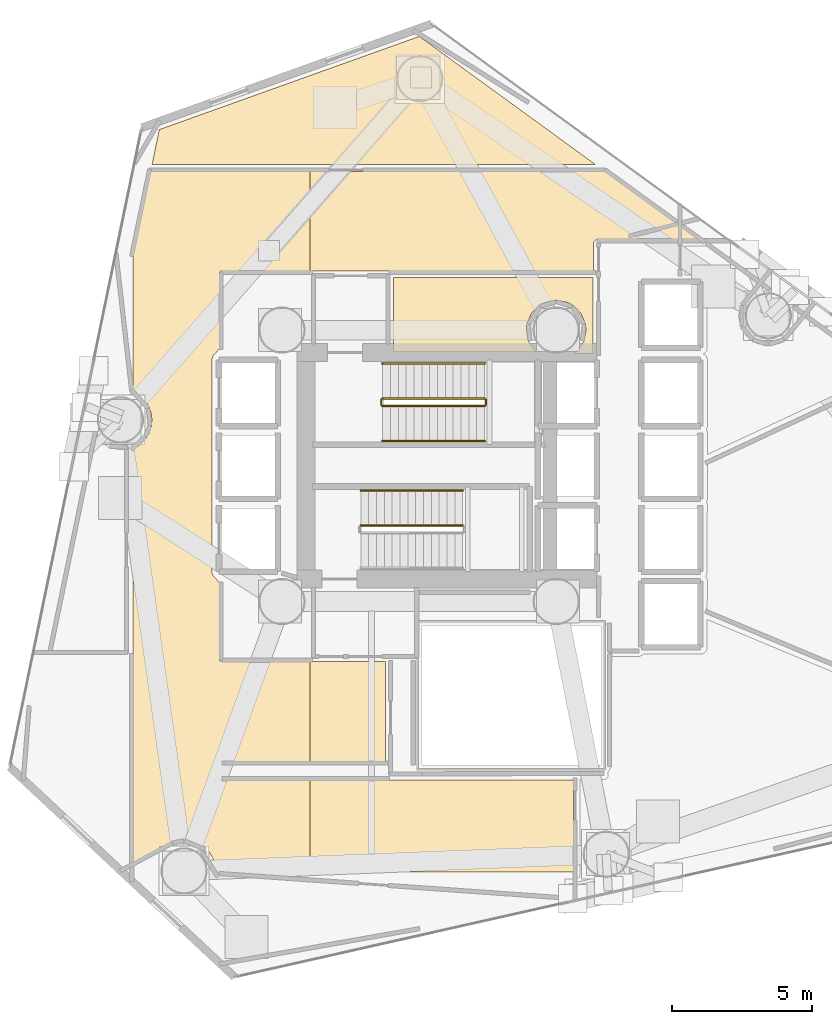
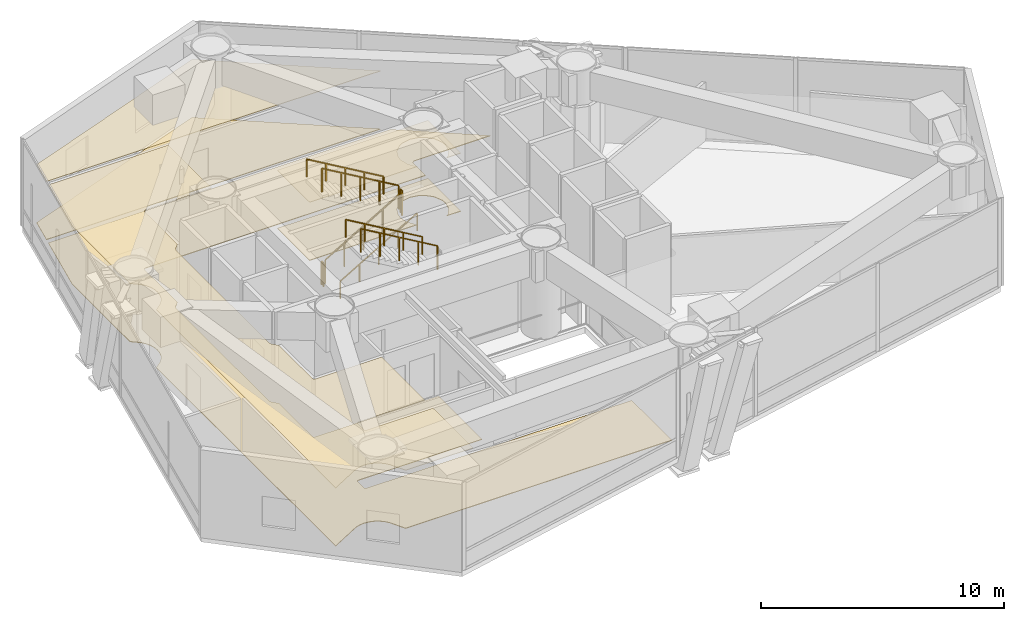
# One storey, part 21 of 22: 8 railings, 6 coverings.
"""IFC4 building model written with IfcOpenShell, lengths in metres."""

import ifcopenshell
import ifcopenshell.guid

model = None  # the IFC model being written
_history = None  # IfcOwnerHistory: only IFC2X3 demands one
_inside = {}  # id of a spatial element -> (the spatial element, [elements in it])
_under = {}  # id of a project, library or spatial element -> (it, [spatial elements below it])
_declared = {}  # id of a project -> (the project, [libraries it declares])
_typed = {}  # id of a type object -> (the type object, [elements of that type])
_made_of = {}  # id of a material, layer set ... -> (it, [elements and type objects made of it])


def new_model(schema):
    """Start an empty IFC model of exactly this schema.

    Asked for "IFC4X3", IfcOpenShell would pick the latest addendum, in which some entities
    have other attributes; the version numbers below select the first issue.
    IFC2X3 requires an IfcOwnerHistory on every rooted entity: one is made here for all.
    """
    global model, _history
    if schema == "IFC4X3":
        model = ifcopenshell.file(schema_version=(4, 3, 0, 0))
    else:
        model = ifcopenshell.file(schema=schema)
    _inside.clear()
    _under.clear()
    _declared.clear()
    _typed.clear()
    _made_of.clear()
    _history = None
    if model.schema == "IFC2X3":
        org = make("IfcOrganization", Name="unknown")
        user = make(
            "IfcPersonAndOrganization",
            ThePerson=make("IfcPerson", FamilyName="unknown"),
            TheOrganization=org,
        )
        app = make(
            "IfcApplication",
            ApplicationDeveloper=org,
            Version="unknown",
            ApplicationFullName="unknown",
            ApplicationIdentifier="unknown",
        )
        _history = make(
            "IfcOwnerHistory",
            OwningUser=user,
            OwningApplication=app,
            ChangeAction="ADDED",
            CreationDate=0,
        )
    return model


def make(cls, **values):
    """One entity of the class cls with the attributes given. An attribute that is None is left unset."""
    return model.create_entity(
        cls, **{name: value for name, value in values.items() if value is not None}
    )


def rooted(cls, **values):
    """An entity with a GlobalId (a new one), such as an element, a storey or a relation."""
    return make(cls, GlobalId=ifcopenshell.guid.new(), OwnerHistory=_history, **values)


def si_unit(unit_type, name, prefix=None):
    """IfcSIUnit, for example si_unit("LENGTHUNIT", "METRE", prefix="MILLI")."""
    return make("IfcSIUnit", UnitType=unit_type, Prefix=prefix, Name=name)


def assignment(units):
    """IfcUnitAssignment: the units of a project."""
    return None if units is None else make("IfcUnitAssignment", Units=units)


def point(xyz):
    """IfcCartesianPoint."""
    return None if xyz is None else make("IfcCartesianPoint", Coordinates=xyz)


def direction(xyz):
    """IfcDirection."""
    return None if xyz is None else make("IfcDirection", DirectionRatios=xyz)


def frame(location, z_axis=None, x_axis=None):
    """IfcAxis2Placement3D, a coordinate frame: its origin and axes. An axis left out is left unset."""
    return make(
        "IfcAxis2Placement3D",
        Location=point(location),
        Axis=direction(z_axis),
        RefDirection=direction(x_axis),
    )


def frame_2d(location, x_axis=None):
    """IfcAxis2Placement2D, a coordinate frame in the plane: its origin and x axis."""
    return make(
        "IfcAxis2Placement2D", Location=point(location), RefDirection=direction(x_axis)
    )


def origin():
    """The frame at (0, 0, 0) with its axes left unset."""
    return frame((0.0, 0.0, 0.0))


def origin_2d():
    """The frame at (0, 0) in the plane with its x axis left unset."""
    return frame_2d((0.0, 0.0))


def place(relative_to, where):
    """IfcLocalPlacement: puts the frame where relative to a parent placement (None: the world)."""
    return make(
        "IfcLocalPlacement", PlacementRelTo=relative_to, RelativePlacement=where
    )


def context(
    kind, dimensions, precision=None, world=None, true_north=None, identifier=None
):
    """IfcGeometricRepresentationContext, for example the 3D "Model" context."""
    return make(
        "IfcGeometricRepresentationContext",
        ContextIdentifier=identifier,
        ContextType=kind,
        CoordinateSpaceDimension=dimensions,
        Precision=precision,
        WorldCoordinateSystem=world,
        TrueNorth=true_north,
    )


def subcontext(parent, identifier, kind, view, scale=None):
    """IfcGeometricRepresentationSubContext, for example "Body" below "Model"."""
    return make(
        "IfcGeometricRepresentationSubContext",
        ContextIdentifier=identifier,
        ContextType=kind,
        ParentContext=parent,
        TargetScale=scale,
        TargetView=view,
    )


def project(units=None, contexts=None):
    """IfcProject with its units and contexts."""
    return rooted(
        "IfcProject",
        Name="project",
        RepresentationContexts=contexts,
        UnitsInContext=assignment(units),
    )


def spatial(cls, under=None, at=None, **own):
    """A site, building, storey or space (cls), placed at a placement, below another one or the project."""
    s = rooted(cls, ObjectPlacement=at, **own)
    if under is not None:
        _under.setdefault(under.id(), (under, []))[1].append(s)
    return s


def polyline(points):
    """IfcPolyline through the points."""
    return make("IfcPolyline", Points=[point(p) for p in points])


def profile(cls, at=None, kind="AREA", **sizes):
    """A parametric profile (cls). Its sizes go by their IFC names, for example OverallWidth=200.0."""
    return make(cls, ProfileType=kind, Position=at, **sizes)


def rectangle(**sizes):
    """IfcRectangleProfileDef."""
    return profile("IfcRectangleProfileDef", **sizes)


def outline(outer, holes=None, kind="AREA"):
    """IfcArbitraryClosedProfileDef: a profile drawn as a closed curve; with holes, ...WithVoids."""
    if holes is None:
        return make("IfcArbitraryClosedProfileDef", ProfileType=kind, OuterCurve=outer)
    return make(
        "IfcArbitraryProfileDefWithVoids",
        ProfileType=kind,
        OuterCurve=outer,
        InnerCurves=holes,
    )


def extrude(swept, where, along, depth):
    """IfcExtrudedAreaSolid: the profile swept, set in the frame where, extruded along a direction by depth."""
    return make(
        "IfcExtrudedAreaSolid",
        SweptArea=swept,
        Position=where,
        ExtrudedDirection=direction(along),
        Depth=depth,
    )


def shape(context_of_items, identifier, shape_type, items):
    """IfcShapeRepresentation: the items that make up one representation, for example the "Body"."""
    return make(
        "IfcShapeRepresentation",
        ContextOfItems=context_of_items,
        RepresentationIdentifier=identifier,
        RepresentationType=shape_type,
        Items=items,
    )


def material(Name=None, Category=None):
    """IfcMaterial."""
    return make("IfcMaterial", Name=Name, Category=Category)


def layer(
    of_material, thickness, ventilated=None, Name=None, Category=None, Priority=None
):
    """IfcMaterialLayer: one layer of a wall or slab, of a material (None: an air gap)."""
    return make(
        "IfcMaterialLayer",
        Material=of_material,
        LayerThickness=thickness,
        IsVentilated=ventilated,
        Name=Name,
        Category=Category,
        Priority=Priority,
    )


def layer_set(layers, Name=None):
    """IfcMaterialLayerSet."""
    return make("IfcMaterialLayerSet", MaterialLayers=layers, LayerSetName=Name)


def made_of(thing, what):
    """Note that an element or type object is made of a material, layer set ...; save() writes the relation."""
    if what is not None:
        _made_of.setdefault(what.id(), (what, []))[1].append(thing)
    return thing


def type_object(cls, material=None, **own):
    """A type object (cls), such as IfcWallType, which elements share."""
    return made_of(rooted(cls, **own), material)


def element(
    cls,
    number,
    at=None,
    inside=None,
    cuts=None,
    type_object=None,
    material=None,
    context=None,
    identifier="Body",
    shape_type=None,
    held_by="IfcProductDefinitionShape",
    body=None,
    shapes=None,
    **own,
):
    """One element of the class cls, such as IfcWall. Its Tag is "e" and its number.

    at: its placement. inside: the storey or other place that contains it. cuts: it is an
    opening in that element (IfcRelVoidsElement). A single representation is given by context,
    identifier, shape_type and body (its items); several are given by shapes. held_by: the class
    of the entity that holds the representations. save() writes the other relations.
    """
    e = rooted(cls, Tag="e%d" % number, ObjectPlacement=at, **own)
    if body is not None:
        shapes = [shape(context, identifier, shape_type, body)]
    if shapes is not None:
        e.Representation = make(held_by, Representations=shapes)
    if inside is not None:
        _inside.setdefault(inside.id(), (inside, []))[1].append(e)
    if cuts is not None:
        rooted(
            "IfcRelVoidsElement", RelatingBuildingElement=cuts, RelatedOpeningElement=e
        )
    if type_object is not None:
        _typed.setdefault(type_object.id(), (type_object, []))[1].append(e)
    return made_of(e, material)


def aggregate(whole, parts):
    """IfcRelAggregates: a whole, such as a stair, and the parts it consists of."""
    return rooted("IfcRelAggregates", RelatingObject=whole, RelatedObjects=parts)


def save(model, path):
    """Write the relations noted so far, then the file.

    IfcRelAggregates (storeys below a building ...), IfcRelContainedInSpatialStructure (elements
    in a storey), IfcRelDefinesByType, IfcRelAssociatesMaterial and IfcRelDeclares: one each for
    every whole, place, type object, material and project.
    """
    for whole, parts in _under.values():
        aggregate(whole, parts)
    for where, things in _inside.values():
        rooted(
            "IfcRelContainedInSpatialStructure",
            RelatedElements=things,
            RelatingStructure=where,
        )
    for kind, things in _typed.values():
        rooted("IfcRelDefinesByType", RelatedObjects=things, RelatingType=kind)
    for what, things in _made_of.values():
        rooted("IfcRelAssociatesMaterial", RelatedObjects=things, RelatingMaterial=what)
    for by, libraries in _declared.values():
        rooted("IfcRelDeclares", RelatingContext=by, RelatedDefinitions=libraries)
    model.write(path)


model = new_model("IFC4")

# Units and contexts
model_context = context("Model", 3, precision=1e-05, world=origin(), true_north=direction((0.0, 1.0)))
body_context = subcontext(model_context, "Body", "Model", "MODEL_VIEW")
ifc_project = project(units=[si_unit("LENGTHUNIT", "METRE"), si_unit("AREAUNIT", "SQUARE_METRE"), si_unit("VOLUMEUNIT", "CUBIC_METRE"), si_unit("PLANEANGLEUNIT", "RADIAN"), si_unit("MASSUNIT", "GRAM", prefix="KILO")], contexts=[model_context])

# Site, building, storey
site_placement = place(None, origin())
site = spatial("IfcSite", under=ifc_project, at=site_placement, CompositionType="ELEMENT")
building_placement = place(site_placement, origin())
building = spatial("IfcBuilding", under=site, at=building_placement, Name="Qianvela Tower", CompositionType="ELEMENT")
storey_placement = place(building_placement, frame((0.0, 0.0, 93.199951171875)))
storey = spatial("IfcBuildingStorey", under=building, at=storey_placement, Name="L23", CompositionType="ELEMENT", Elevation=93.199951171875)

# Coverings
ifc_material_1 = material(Name="Perforated Mineral Acoustic Ceiling Tile")
ifc_layer_1 = layer(ifc_material_1, 0.02490234375)
ifc_layer_set_1 = layer_set([ifc_layer_1], Name="Perforated Mineral Acoustic Ceiling Tile")
covering_type_1 = type_object("IfcCoveringType", Name="COV-CEIL-ACOUSTIC-25", PredefinedType="CEILING", material=ifc_layer_set_1)
covering_1_placement = place(storey_placement, frame((0.0, 0.0, 2.9150390625)))
element("IfcCovering", 1, at=covering_1_placement, inside=storey, type_object=covering_type_1, Name="L23 Acoustic Ceiling Bay 1 L23 Mechanical Plant Corridor", PredefinedType="CEILING", context=body_context, shape_type="SweptSolid", body=[
    extrude(outline(polyline([(23.764404296875, 29.715087890625), (23.768310546875, 29.7216796875), (23.864990234375, 29.90234375), (23.868408203125, 29.909423828125), (23.87109375, 29.9169921875), (23.930419921875, 30.11279296875), (23.932373046875, 30.12060546875), (23.93359375, 30.12841796875), (23.95361328125, 30.332275390625), (23.9541015625, 30.340087890625), (23.95361328125, 30.347900390625), (23.93359375, 30.5517578125), (23.932373046875, 30.5595703125), (23.930419921875, 30.567138671875), (23.87109375, 30.76318359375), (23.868408203125, 30.7705078125), (23.864990234375, 30.777587890625), (23.768310546875, 30.958251953125), (23.764404296875, 30.965087890625), (23.759765625, 30.97119140625), (23.6298828125, 31.129638671875), (23.62451171875, 31.135498046875), (23.61865234375, 31.140869140625), (23.280029296875, 31.418701171875), (23.280029296875, 36.180419921875), (23.908203125, 39.219970703125), (29.596923828125, 39.219970703125), (29.596923828125, 35.659912109375), (26.449951171875, 35.659912109375), (26.442138671875, 35.65966796875), (26.434326171875, 35.658447265625), (26.4267578125, 35.656494140625), (26.41943359375, 35.65380859375), (26.412353515625, 35.650634765625), (26.405517578125, 35.646484375), (26.399169921875, 35.641845703125), (26.393310546875, 35.63671875), (26.38818359375, 35.630859375), (26.383544921875, 35.62451171875), (26.37939453125, 35.61767578125), (26.376220703125, 35.610595703125), (26.373291015625, 35.603271484375), (26.37158203125, 35.595703125), (26.370361328125, 35.587890625), (26.3701171875, 35.580078125), (26.3701171875, 32.882568359375), (26.152587890625, 32.642578125), (26.1474609375, 32.636474609375), (26.143310546875, 32.6298828125), (26.139404296875, 32.623046875), (26.136474609375, 32.61572265625), (26.104736328125, 32.527099609375), (26.1025390625, 32.5205078125), (26.101318359375, 32.513671875), (26.100341796875, 32.5068359375), (26.10009765625, 32.5), (26.10009765625, 24.89990234375), (26.100341796875, 24.89306640625), (26.101318359375, 24.88623046875), (26.1025390625, 24.879638671875), (26.104736328125, 24.873046875), (26.136474609375, 24.7841796875), (26.139404296875, 24.777099609375), (26.143310546875, 24.77001953125), (26.1474609375, 24.763427734375), (26.152587890625, 24.757568359375), (26.3701171875, 24.517578125), (26.3701171875, 21.780029296875), (26.370361328125, 21.772216796875), (26.37158203125, 21.764404296875), (26.373291015625, 21.7568359375), (26.376220703125, 21.74951171875), (26.37939453125, 21.7421875), (26.383544921875, 21.735595703125), (26.38818359375, 21.729248046875), (26.393310546875, 21.723388671875), (26.399169921875, 21.71826171875), (26.405517578125, 21.71337890625), (26.412353515625, 21.70947265625), (26.41943359375, 21.7060546875), (26.4267578125, 21.703369140625), (26.434326171875, 21.701416015625), (26.442138671875, 21.700439453125), (26.449951171875, 21.699951171875), (29.596923828125, 21.699951171875), (29.596923828125, 18.1298828125), (26.449951171875, 18.1298828125), (26.442138671875, 18.129638671875), (26.434326171875, 18.12841796875), (26.4267578125, 18.126708984375), (26.41943359375, 18.123779296875), (26.412353515625, 18.12060546875), (26.405517578125, 18.116455078125), (26.399169921875, 18.11181640625), (26.393310546875, 18.106689453125), (26.38818359375, 18.100830078125), (26.383544921875, 18.094482421875), (26.37939453125, 18.087646484375), (26.376220703125, 18.08056640625), (26.373291015625, 18.0732421875), (26.37158203125, 18.065673828125), (26.370361328125, 18.057861328125), (26.3701171875, 18.050048828125), (26.3701171875, 17.550048828125), (26.370361328125, 17.542236328125), (26.37158203125, 17.534423828125), (26.373291015625, 17.52685546875), (26.376220703125, 17.519287109375), (26.37939453125, 17.51220703125), (26.383544921875, 17.505615234375), (26.38818359375, 17.499267578125), (26.393310546875, 17.493408203125), (26.399169921875, 17.48828125), (26.405517578125, 17.4833984375), (26.412353515625, 17.4794921875), (26.41943359375, 17.47607421875), (26.4267578125, 17.473388671875), (26.434326171875, 17.471435546875), (26.442138671875, 17.470458984375), (26.449951171875, 17.469970703125), (29.596923828125, 17.469970703125), (29.596923828125, 14.179931640625), (26.39404296875, 14.179931640625), (26.039306640625, 14.84326171875), (26.035400390625, 14.85009765625), (26.03076171875, 14.856201171875), (25.90087890625, 15.0146484375), (25.8955078125, 15.0205078125), (25.8896484375, 15.02587890625), (25.731201171875, 15.15576171875), (25.72509765625, 15.160400390625), (25.71826171875, 15.164306640625), (25.53759765625, 15.260986328125), (25.530517578125, 15.264404296875), (25.523193359375, 15.26708984375), (25.3271484375, 15.326416015625), (25.319580078125, 15.328369140625), (25.311767578125, 15.32958984375), (25.10791015625, 15.349609375), (25.10009765625, 15.35009765625), (25.09228515625, 15.349609375), (24.88818359375, 15.32958984375), (24.880615234375, 15.328369140625), (24.872802734375, 15.326416015625), (24.677001953125, 15.26708984375), (24.66943359375, 15.264404296875), (24.662353515625, 15.260986328125), (23.280029296875, 14.522216796875), (23.280029296875, 29.26123046875), (23.61865234375, 29.539306640625), (23.62451171875, 29.54443359375), (23.6298828125, 29.55029296875), (23.759765625, 29.708740234375), (23.764404296875, 29.715087890625)])), origin(), (0.0, 0.0, 1.0), 0.02490234375),
])
covering_2_placement = place(storey_placement, frame((0.0, 0.0, 2.9150390625)))
element("IfcCovering", 2, at=covering_2_placement, inside=storey, type_object=covering_type_1, Name="L23 Acoustic Ceiling L23 Fire Refuge Area 3", PredefinedType="CEILING", context=body_context, shape_type="SweptSolid", body=[
    extrude(outline(polyline([(39.811279296875, 39.4599609375), (23.9580078125, 39.4599609375), (24.21728515625, 40.71435546875), (33.510986328125, 44.04296875), (39.811279296875, 39.4599609375)])), origin(), (0.0, 0.0, 1.0), 0.02490234375),
])
covering_3_placement = place(storey_placement, frame((0.0, 0.0, 2.9150390625)))
element("IfcCovering", 3, at=covering_3_placement, inside=storey, type_object=covering_type_1, Name="L23 Acoustic Ceiling L23 Electrical Transformer and Switch Room", PredefinedType="CEILING", context=body_context, shape_type="SweptSolid", body=[
    extrude(outline(polyline([(32.580078125, 32.77001953125), (32.580078125, 35.419921875), (39.719970703125, 35.419921875), (39.719970703125, 32.719970703125), (39.040771484375, 32.719970703125), (39.140869140625, 32.787109375), (39.147216796875, 32.791748046875), (39.153076171875, 32.796875), (39.158203125, 32.802734375), (39.1630859375, 32.80908203125), (39.37646484375, 33.128662109375), (39.380615234375, 33.13525390625), (39.3837890625, 33.142333984375), (39.38671875, 33.14990234375), (39.388427734375, 33.157470703125), (39.46337890625, 33.534423828125), (39.464599609375, 33.542236328125), (39.465087890625, 33.550048828125), (39.464599609375, 33.557861328125), (39.44580078125, 33.75), (39.444580078125, 33.7578125), (39.442626953125, 33.765380859375), (39.43994140625, 33.772705078125), (39.29296875, 34.1279296875), (39.28955078125, 34.135009765625), (39.285400390625, 34.1416015625), (39.28076171875, 34.14794921875), (39.275634765625, 34.15380859375), (39.00390625, 34.425537109375), (38.998046875, 34.430908203125), (38.99169921875, 34.435546875), (38.98486328125, 34.439697265625), (38.814697265625, 34.530517578125), (38.8076171875, 34.533935546875), (38.80029296875, 34.53662109375), (38.79248046875, 34.53857421875), (38.41552734375, 34.613525390625), (38.40771484375, 34.614501953125), (38.39990234375, 34.614990234375), (38.39208984375, 34.614501953125), (38.384521484375, 34.613525390625), (38.00732421875, 34.53857421875), (37.999755859375, 34.53662109375), (37.992431640625, 34.533935546875), (37.9853515625, 34.530517578125), (37.815185546875, 34.439697265625), (37.808349609375, 34.435546875), (37.802001953125, 34.430908203125), (37.796142578125, 34.425537109375), (37.5244140625, 34.15380859375), (37.519287109375, 34.14794921875), (37.514404296875, 34.1416015625), (37.510498046875, 34.135009765625), (37.507080078125, 34.1279296875), (37.360107421875, 33.772705078125), (37.357421875, 33.765380859375), (37.35546875, 33.7578125), (37.354248046875, 33.75), (37.33544921875, 33.557861328125), (37.3349609375, 33.550048828125), (37.33544921875, 33.542236328125), (37.33642578125, 33.534423828125), (37.41162109375, 33.157470703125), (37.413330078125, 33.14990234375), (37.416015625, 33.142333984375), (37.41943359375, 33.13525390625), (37.423583984375, 33.128662109375), (37.636962890625, 32.80908203125), (37.64111328125, 32.80322265625), (37.64599609375, 32.798095703125), (37.65087890625, 32.793212890625), (37.656494140625, 32.788818359375), (37.682373046875, 32.77001953125), (32.580078125, 32.77001953125)])), origin(), (0.0, 0.0, 1.0), 0.02490234375),
])
ifc_material_2 = material(Name="Honed Stone Terrazzo Flooring", Category="masonry")
ifc_layer_2 = layer(ifc_material_2, 0.030029296875)
ifc_layer_set_2 = layer_set([ifc_layer_2], Name="Honed Stone Terrazzo Flooring")
covering_type_2 = type_object("IfcCoveringType", Name="COV-FLOOR-TERRAZZO-30", PredefinedType="FLOORING", material=ifc_layer_set_2)
covering_4_placement = place(storey_placement, origin())
element("IfcCovering", 4, at=covering_4_placement, inside=storey, type_object=covering_type_2, Name="L23 Finish Flooring L23 Mechanical Plant Corridor", PredefinedType="FLOORING", context=body_context, shape_type="SweptSolid", body=[
    extrude(outline(polyline([(23.759765625, 29.708740234375), (23.764404296875, 29.715087890625), (23.768310546875, 29.7216796875), (23.864990234375, 29.90234375), (23.868408203125, 29.909423828125), (23.87109375, 29.9169921875), (23.930419921875, 30.11279296875), (23.932373046875, 30.12060546875), (23.93359375, 30.12841796875), (23.95361328125, 30.332275390625), (23.9541015625, 30.340087890625), (23.95361328125, 30.347900390625), (23.93359375, 30.5517578125), (23.932373046875, 30.5595703125), (23.930419921875, 30.567138671875), (23.87109375, 30.76318359375), (23.868408203125, 30.7705078125), (23.864990234375, 30.777587890625), (23.768310546875, 30.958251953125), (23.764404296875, 30.965087890625), (23.759765625, 30.97119140625), (23.6298828125, 31.129638671875), (23.62451171875, 31.135498046875), (23.61865234375, 31.140869140625), (23.280029296875, 31.418701171875), (23.280029296875, 36.180419921875), (23.908203125, 39.219970703125), (40.141357421875, 39.219970703125), (43.479248046875, 36.791748046875), (39.86181640625, 36.789306640625), (39.853759765625, 36.788818359375), (39.845458984375, 36.78759765625), (39.83740234375, 36.785400390625), (39.829833984375, 36.782470703125), (39.822509765625, 36.77880859375), (39.8154296875, 36.7744140625), (39.808837890625, 36.769287109375), (39.802978515625, 36.763427734375), (39.797607421875, 36.757080078125), (39.753662109375, 36.69775390625), (39.7490234375, 36.690673828125), (39.7451171875, 36.68310546875), (39.741943359375, 36.675048828125), (39.73974609375, 36.6669921875), (39.738525390625, 36.658447265625), (39.738037109375, 36.64990234375), (39.738037109375, 35.659912109375), (26.449951171875, 35.659912109375), (26.442138671875, 35.65966796875), (26.434326171875, 35.658447265625), (26.4267578125, 35.656494140625), (26.41943359375, 35.65380859375), (26.412353515625, 35.650634765625), (26.405517578125, 35.646484375), (26.399169921875, 35.641845703125), (26.393310546875, 35.63671875), (26.38818359375, 35.630859375), (26.383544921875, 35.62451171875), (26.37939453125, 35.61767578125), (26.376220703125, 35.610595703125), (26.373291015625, 35.603271484375), (26.37158203125, 35.595703125), (26.370361328125, 35.587890625), (26.3701171875, 35.580078125), (26.3701171875, 32.882568359375), (26.152587890625, 32.642578125), (26.1474609375, 32.636474609375), (26.143310546875, 32.6298828125), (26.139404296875, 32.623046875), (26.136474609375, 32.61572265625), (26.104736328125, 32.527099609375), (26.1025390625, 32.5205078125), (26.101318359375, 32.513671875), (26.100341796875, 32.5068359375), (26.10009765625, 32.5), (26.10009765625, 24.89990234375), (26.100341796875, 24.89306640625), (26.101318359375, 24.88623046875), (26.1025390625, 24.879638671875), (26.104736328125, 24.873046875), (26.136474609375, 24.7841796875), (26.139404296875, 24.777099609375), (26.143310546875, 24.77001953125), (26.1474609375, 24.763427734375), (26.152587890625, 24.757568359375), (26.3701171875, 24.517578125), (26.3701171875, 21.780029296875), (26.370361328125, 21.772216796875), (26.37158203125, 21.764404296875), (26.373291015625, 21.7568359375), (26.376220703125, 21.74951171875), (26.37939453125, 21.7421875), (26.383544921875, 21.735595703125), (26.38818359375, 21.729248046875), (26.393310546875, 21.723388671875), (26.399169921875, 21.71826171875), (26.405517578125, 21.71337890625), (26.412353515625, 21.70947265625), (26.41943359375, 21.7060546875), (26.4267578125, 21.703369140625), (26.434326171875, 21.701416015625), (26.442138671875, 21.700439453125), (26.449951171875, 21.699951171875), (32.30810546875, 21.699951171875), (32.30810546875, 18.1298828125), (26.449951171875, 18.1298828125), (26.442138671875, 18.129638671875), (26.434326171875, 18.12841796875), (26.4267578125, 18.126708984375), (26.41943359375, 18.123779296875), (26.412353515625, 18.12060546875), (26.405517578125, 18.116455078125), (26.399169921875, 18.11181640625), (26.393310546875, 18.106689453125), (26.38818359375, 18.100830078125), (26.383544921875, 18.094482421875), (26.37939453125, 18.087646484375), (26.376220703125, 18.08056640625), (26.373291015625, 18.0732421875), (26.37158203125, 18.065673828125), (26.370361328125, 18.057861328125), (26.3701171875, 18.050048828125), (26.3701171875, 17.550048828125), (26.370361328125, 17.542236328125), (26.37158203125, 17.534423828125), (26.373291015625, 17.52685546875), (26.376220703125, 17.519287109375), (26.37939453125, 17.51220703125), (26.383544921875, 17.505615234375), (26.38818359375, 17.499267578125), (26.393310546875, 17.493408203125), (26.399169921875, 17.48828125), (26.405517578125, 17.4833984375), (26.412353515625, 17.4794921875), (26.41943359375, 17.47607421875), (26.4267578125, 17.473388671875), (26.434326171875, 17.471435546875), (26.442138671875, 17.470458984375), (26.449951171875, 17.469970703125), (39.02001953125, 17.469970703125), (39.02001953125, 14.179931640625), (26.39404296875, 14.179931640625), (26.039306640625, 14.84326171875), (26.035400390625, 14.85009765625), (26.03076171875, 14.856201171875), (25.90087890625, 15.0146484375), (25.8955078125, 15.0205078125), (25.8896484375, 15.02587890625), (25.731201171875, 15.15576171875), (25.72509765625, 15.160400390625), (25.71826171875, 15.164306640625), (25.53759765625, 15.260986328125), (25.530517578125, 15.264404296875), (25.523193359375, 15.26708984375), (25.3271484375, 15.326416015625), (25.319580078125, 15.328369140625), (25.311767578125, 15.32958984375), (25.10791015625, 15.349609375), (25.10009765625, 15.35009765625), (25.09228515625, 15.349609375), (24.88818359375, 15.32958984375), (24.880615234375, 15.328369140625), (24.872802734375, 15.326416015625), (24.677001953125, 15.26708984375), (24.66943359375, 15.264404296875), (24.662353515625, 15.260986328125), (23.280029296875, 14.522216796875), (23.280029296875, 29.26123046875), (23.61865234375, 29.539306640625), (23.62451171875, 29.54443359375), (23.6298828125, 29.55029296875), (23.759765625, 29.708740234375)])), origin(), (0.0, 0.0, 1.0), 0.030029296875),
])
covering_5_placement = place(storey_placement, origin())
element("IfcCovering", 5, at=covering_5_placement, inside=storey, type_object=covering_type_2, Name="L23 Finish Flooring L23 Fire Refuge Area 3", PredefinedType="FLOORING", context=body_context, shape_type="SweptSolid", body=[
    extrude(outline(polyline([(39.811279296875, 39.4599609375), (23.9580078125, 39.4599609375), (24.21728515625, 40.71435546875), (33.510986328125, 44.04296875), (39.811279296875, 39.4599609375)])), origin(), (0.0, 0.0, 1.0), 0.030029296875),
])
covering_6_placement = place(storey_placement, origin())
element("IfcCovering", 6, at=covering_6_placement, inside=storey, type_object=covering_type_2, Name="L23 Finish Flooring L23 Electrical Transformer and Switch Room", PredefinedType="FLOORING", context=body_context, shape_type="SweptSolid", body=[
    extrude(outline(polyline([(32.580078125, 32.77001953125), (32.580078125, 35.419921875), (39.719970703125, 35.419921875), (39.719970703125, 32.719970703125), (39.040771484375, 32.719970703125), (39.140869140625, 32.787109375), (39.147216796875, 32.791748046875), (39.153076171875, 32.796875), (39.158203125, 32.802734375), (39.1630859375, 32.80908203125), (39.37646484375, 33.128662109375), (39.380615234375, 33.13525390625), (39.3837890625, 33.142333984375), (39.38671875, 33.14990234375), (39.388427734375, 33.157470703125), (39.46337890625, 33.534423828125), (39.464599609375, 33.542236328125), (39.465087890625, 33.550048828125), (39.464599609375, 33.557861328125), (39.44580078125, 33.75), (39.444580078125, 33.7578125), (39.442626953125, 33.765380859375), (39.43994140625, 33.772705078125), (39.29296875, 34.1279296875), (39.28955078125, 34.135009765625), (39.285400390625, 34.1416015625), (39.28076171875, 34.14794921875), (39.275634765625, 34.15380859375), (39.00390625, 34.425537109375), (38.998046875, 34.430908203125), (38.99169921875, 34.435546875), (38.98486328125, 34.439697265625), (38.814697265625, 34.530517578125), (38.8076171875, 34.533935546875), (38.80029296875, 34.53662109375), (38.79248046875, 34.53857421875), (38.41552734375, 34.613525390625), (38.40771484375, 34.614501953125), (38.39990234375, 34.614990234375), (38.39208984375, 34.614501953125), (38.384521484375, 34.613525390625), (38.00732421875, 34.53857421875), (37.999755859375, 34.53662109375), (37.992431640625, 34.533935546875), (37.9853515625, 34.530517578125), (37.815185546875, 34.439697265625), (37.808349609375, 34.435546875), (37.802001953125, 34.430908203125), (37.796142578125, 34.425537109375), (37.5244140625, 34.15380859375), (37.519287109375, 34.14794921875), (37.514404296875, 34.1416015625), (37.510498046875, 34.135009765625), (37.507080078125, 34.1279296875), (37.360107421875, 33.772705078125), (37.357421875, 33.765380859375), (37.35546875, 33.7578125), (37.354248046875, 33.75), (37.33544921875, 33.557861328125), (37.3349609375, 33.550048828125), (37.33544921875, 33.542236328125), (37.33642578125, 33.534423828125), (37.41162109375, 33.157470703125), (37.413330078125, 33.14990234375), (37.416015625, 33.142333984375), (37.41943359375, 33.13525390625), (37.423583984375, 33.128662109375), (37.636962890625, 32.80908203125), (37.64111328125, 32.80322265625), (37.64599609375, 32.798095703125), (37.65087890625, 32.793212890625), (37.656494140625, 32.788818359375), (37.682373046875, 32.77001953125), (32.580078125, 32.77001953125)])), origin(), (0.0, 0.0, 1.0), 0.030029296875),
])

# Railings
ifc_material_3 = material(Name="Painted Tubular Steel Q355B", Category="steel")
railing_type_1 = type_object("IfcRailingType", Name="RL-STAIR-GUARD-1200", PredefinedType="GUARDRAIL", material=ifc_material_3)
railing_1_placement = place(storey_placement, frame((32.199951171875, 30.840087890625, 0.164306640625)))
element("IfcRailing", 7, at=railing_1_placement, inside=storey, type_object=railing_type_1, Name="L23 ST-1 stair guard 1", PredefinedType="GUARDRAIL", context=body_context, shape_type="SweptSolid", body=[
    extrude(rectangle(XDim=0.050048828125, YDim=0.0400390625, at=origin_2d()), frame((0.0, 0.0, 1.179931640625), z_axis=(0.862504707072, 0.0, 0.506049039401), x_axis=(0.0, 1.0, 0.0)), (0.0, 0.0, 1.0), 4.220458984375),
    extrude(rectangle(XDim=0.050048828125, YDim=0.050048828125, at=origin_2d()), origin(), (0.0, 0.0, 1.0), 1.159912109375),
    extrude(rectangle(XDim=0.050048828125, YDim=0.050048828125, at=origin_2d()), frame((0.91015625, 0.0, 0.533935546875)), (0.0, 0.0, 1.0), 1.159912109375),
    extrude(rectangle(XDim=0.050048828125, YDim=0.050048828125, at=origin_2d()), frame((1.820068359375, 0.0, 1.06787109375)), (0.0, 0.0, 1.0), 1.159912109375),
    extrude(rectangle(XDim=0.050048828125, YDim=0.050048828125, at=origin_2d()), frame((2.72998046875, 0.0, 1.601806640625)), (0.0, 0.0, 1.0), 1.159912109375),
    extrude(rectangle(XDim=0.050048828125, YDim=0.050048828125, at=origin_2d()), frame((3.64013671875, 0.0, 2.1357421875)), (0.0, 0.0, 1.0), 1.159912109375),
])
railing_2_placement = place(storey_placement, frame((35.889892578125, 30.889892578125, 2.300048828125)))
element("IfcRailing", 8, at=railing_2_placement, inside=storey, type_object=railing_type_1, Name="L23 ST-1 stair guard 2", PredefinedType="GUARDRAIL", context=body_context, shape_type="SweptSolid", body=[
    extrude(rectangle(XDim=0.050048828125, YDim=0.0400390625, at=origin_2d()), frame((0.0, 0.0, 1.179931640625), z_axis=(0.0, 1.0, 0.0), x_axis=(-1.0, 0.0, 0.0)), (0.0, 0.0, 1.0), 0.16015625),
    extrude(rectangle(XDim=0.050048828125, YDim=0.050048828125, at=origin_2d()), origin(), (0.0, 0.0, 1.0), 1.159912109375),
    extrude(rectangle(XDim=0.050048828125, YDim=0.050048828125, at=origin_2d()), frame((0.0, 0.16015625, 0.0)), (0.0, 0.0, 1.0), 1.159912109375),
])
railing_3_placement = place(storey_placement, frame((35.840087890625, 31.10009765625, 2.46435546875)))
element("IfcRailing", 9, at=railing_3_placement, inside=storey, type_object=railing_type_1, Name="L23 ST-1 stair guard 3", PredefinedType="GUARDRAIL", context=body_context, shape_type="SweptSolid", body=[
    extrude(rectangle(XDim=0.050048828125, YDim=0.0400390625, at=origin_2d()), frame((0.0, 0.0, 1.179931640625), z_axis=(-0.862504707072, 0.0, 0.506049039401), x_axis=(0.0, -1.0, 0.0)), (0.0, 0.0, 1.0), 4.220458984375),
    extrude(rectangle(XDim=0.050048828125, YDim=0.050048828125, at=origin_2d()), origin(), (0.0, 0.0, 1.0), 1.159912109375),
    extrude(rectangle(XDim=0.050048828125, YDim=0.050048828125, at=origin_2d()), frame((-0.91015625, 0.0, 0.533935546875)), (0.0, 0.0, 1.0), 1.159912109375),
    extrude(rectangle(XDim=0.050048828125, YDim=0.050048828125, at=origin_2d()), frame((-1.820068359375, 0.0, 1.06787109375)), (0.0, 0.0, 1.0), 1.159912109375),
    extrude(rectangle(XDim=0.050048828125, YDim=0.050048828125, at=origin_2d()), frame((-2.72998046875, 0.0, 1.601806640625)), (0.0, 0.0, 1.0), 1.159912109375),
    extrude(rectangle(XDim=0.050048828125, YDim=0.050048828125, at=origin_2d()), frame((-3.64013671875, 0.0, 2.1357421875)), (0.0, 0.0, 1.0), 1.159912109375),
])
railing_4_placement = place(storey_placement, frame((32.14990234375, 30.889892578125, 0.0)))
element("IfcRailing", 10, at=railing_4_placement, inside=storey, type_object=railing_type_1, Name="L23 ST-1 stair guard 4", PredefinedType="GUARDRAIL", context=body_context, shape_type="SweptSolid", body=[
    extrude(rectangle(XDim=0.050048828125, YDim=0.0400390625, at=origin_2d()), frame((0.0, 0.0, 1.179931640625), z_axis=(0.0, 1.0, 0.0), x_axis=(-1.0, 0.0, 0.0)), (0.0, 0.0, 1.0), 0.16015625),
    extrude(rectangle(XDim=0.050048828125, YDim=0.050048828125, at=origin_2d()), origin(), (0.0, 0.0, 1.0), 1.159912109375),
    extrude(rectangle(XDim=0.050048828125, YDim=0.050048828125, at=origin_2d()), frame((0.0, 0.16015625, 0.0)), (0.0, 0.0, 1.0), 1.159912109375),
])
railing_5_placement = place(storey_placement, frame((35.06005859375, 26.56005859375, 2.46435546875)))
element("IfcRailing", 11, at=railing_5_placement, inside=storey, type_object=railing_type_1, Name="L23 ST-2 stair guard 3", PredefinedType="GUARDRAIL", context=body_context, shape_type="SweptSolid", body=[
    extrude(rectangle(XDim=0.050048828125, YDim=0.0400390625, at=origin_2d()), frame((0.0, 0.0, 1.179931640625), z_axis=(-0.862504707072, 0.0, 0.506049039401), x_axis=(0.0, -1.0, 0.0)), (0.0, 0.0, 1.0), 4.220458984375),
    extrude(rectangle(XDim=0.050048828125, YDim=0.050048828125, at=origin_2d()), origin(), (0.0, 0.0, 1.0), 1.159912109375),
    extrude(rectangle(XDim=0.050048828125, YDim=0.050048828125, at=origin_2d()), frame((-0.91015625, 0.0, 0.533935546875)), (0.0, 0.0, 1.0), 1.159912109375),
    extrude(rectangle(XDim=0.050048828125, YDim=0.050048828125, at=origin_2d()), frame((-1.820068359375, 0.0, 1.06787109375)), (0.0, 0.0, 1.0), 1.159912109375),
    extrude(rectangle(XDim=0.050048828125, YDim=0.050048828125, at=origin_2d()), frame((-2.72998046875, 0.0, 1.601806640625)), (0.0, 0.0, 1.0), 1.159912109375),
    extrude(rectangle(XDim=0.050048828125, YDim=0.050048828125, at=origin_2d()), frame((-3.64013671875, 0.0, 2.1357421875)), (0.0, 0.0, 1.0), 1.159912109375),
])
ifc_material_4 = material(Name="Brushed Stainless Steel 304", Category="steel")
railing_type_2 = type_object("IfcRailingType", Name="RL-STAIR-HANDRAIL-900", PredefinedType="HANDRAIL", material=ifc_material_4)
railing_6_placement = place(storey_placement, frame((32.199951171875, 29.590087890625, 0.164306640625)))
element("IfcRailing", 12, at=railing_6_placement, inside=storey, type_object=railing_type_2, Name="L23 ST-1 stair handrail 1", PredefinedType="HANDRAIL", context=body_context, shape_type="SweptSolid", body=[
    extrude(rectangle(XDim=0.050048828125, YDim=0.0400390625, at=origin_2d()), frame((0.0, 0.0, 0.8798828125), z_axis=(0.862504707072, 0.0, 0.506049039401), x_axis=(0.0, 1.0, 0.0)), (0.0, 0.0, 1.0), 4.220458984375),
    extrude(rectangle(XDim=0.050048828125, YDim=0.050048828125, at=origin_2d()), origin(), (0.0, 0.0, 1.0), 0.85986328125),
    extrude(rectangle(XDim=0.050048828125, YDim=0.050048828125, at=origin_2d()), frame((0.91015625, 0.0, 0.533935546875)), (0.0, 0.0, 1.0), 0.85986328125),
    extrude(rectangle(XDim=0.050048828125, YDim=0.050048828125, at=origin_2d()), frame((1.820068359375, 0.0, 1.06787109375)), (0.0, 0.0, 1.0), 0.85986328125),
    extrude(rectangle(XDim=0.050048828125, YDim=0.050048828125, at=origin_2d()), frame((2.72998046875, 0.0, 1.601806640625)), (0.0, 0.0, 1.0), 0.85986328125),
    extrude(rectangle(XDim=0.050048828125, YDim=0.050048828125, at=origin_2d()), frame((3.64013671875, 0.0, 2.1357421875)), (0.0, 0.0, 1.0), 0.85986328125),
])
for number, where, name in (
    (13, (35.840087890625, 32.35009765625, 2.46435546875), "L23 ST-1 stair handrail 2"),
    (14, (35.06005859375, 27.81005859375, 2.46435546875), "L23 ST-2 stair handrail 2"),
):
    element("IfcRailing", number, at=place(storey_placement, frame(where)), inside=storey, type_object=railing_type_2, Name=name, PredefinedType="HANDRAIL", context=body_context, shape_type="SweptSolid", body=[
        extrude(rectangle(XDim=0.050048828125, YDim=0.0400390625, at=origin_2d()), frame((0.0, 0.0, 0.8798828125), z_axis=(-0.862504707072, 0.0, 0.506049039401), x_axis=(0.0, -1.0, 0.0)), (0.0, 0.0, 1.0), 4.220458984375),
        extrude(rectangle(XDim=0.050048828125, YDim=0.050048828125, at=origin_2d()), origin(), (0.0, 0.0, 1.0), 0.85986328125),
        extrude(rectangle(XDim=0.050048828125, YDim=0.050048828125, at=origin_2d()), frame((-0.91015625, 0.0, 0.533935546875)), (0.0, 0.0, 1.0), 0.85986328125),
        extrude(rectangle(XDim=0.050048828125, YDim=0.050048828125, at=origin_2d()), frame((-1.820068359375, 0.0, 1.06787109375)), (0.0, 0.0, 1.0), 0.85986328125),
        extrude(rectangle(XDim=0.050048828125, YDim=0.050048828125, at=origin_2d()), frame((-2.72998046875, 0.0, 1.601806640625)), (0.0, 0.0, 1.0), 0.85986328125),
        extrude(rectangle(XDim=0.050048828125, YDim=0.050048828125, at=origin_2d()), frame((-3.64013671875, 0.0, 2.1357421875)), (0.0, 0.0, 1.0), 0.85986328125),
    ])

save(model, "model.ifc")
